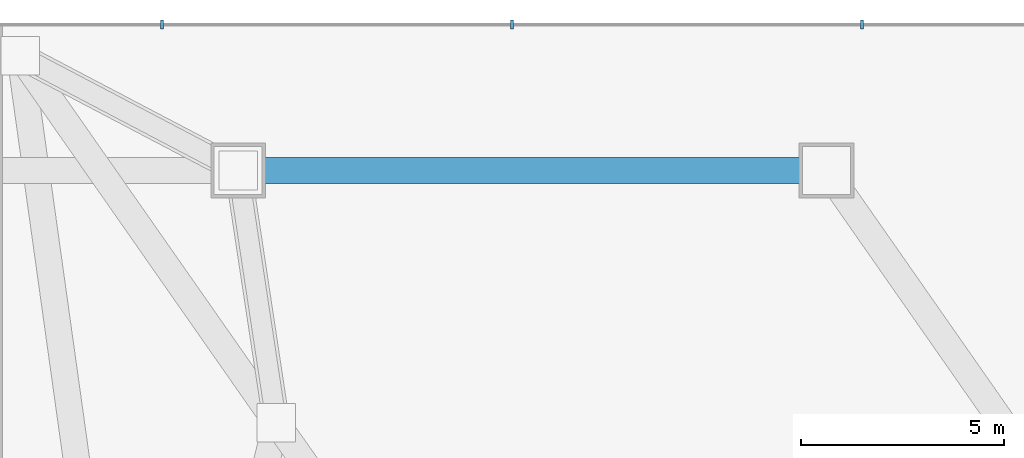
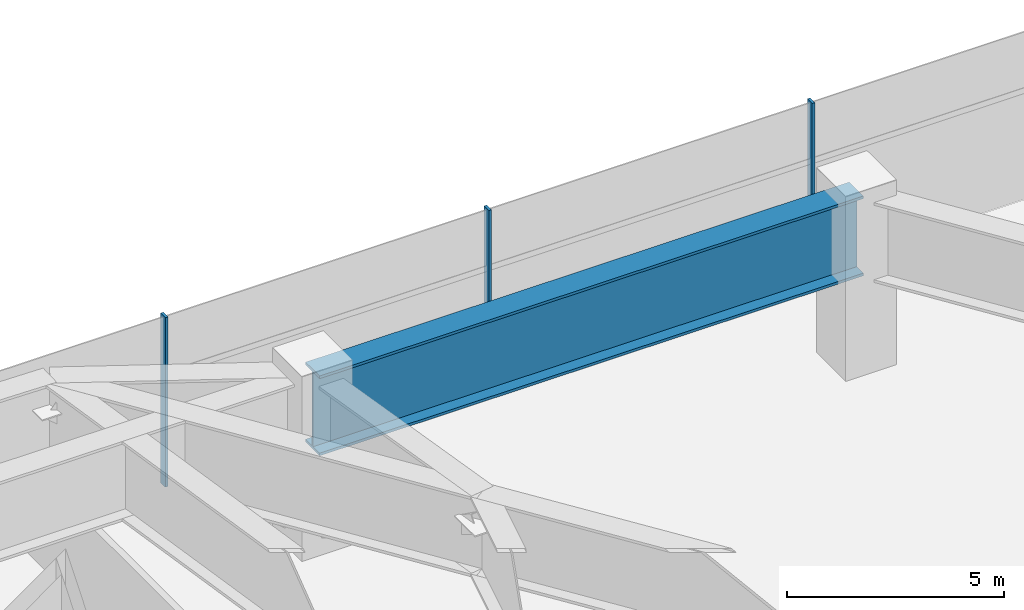
# One storey, part 16 of 29: 3 members, 1 beam, 1 element without a shape of its own.
"""IFC4 building model written with IfcOpenShell, lengths in metres."""

from ifc_helpers import new_model, si_unit, direction, frame, origin, origin_2d, place, context, subcontext, project, spatial, rectangle, i_section, extrude, source, transform, mapped, material, layer, layer_set, material_profile, profile_set, type_object, type_shapes, element, aggregate, save


model = new_model("IFC4")

# Units and contexts
model_context = context("Model", 3, precision=1e-05, world=origin(), true_north=direction((0.0, 1.0)))
body_context = subcontext(model_context, "Body", "Model", "MODEL_VIEW")
ifc_project = project(units=[si_unit("LENGTHUNIT", "METRE"), si_unit("AREAUNIT", "SQUARE_METRE"), si_unit("VOLUMEUNIT", "CUBIC_METRE"), si_unit("PLANEANGLEUNIT", "RADIAN"), si_unit("MASSUNIT", "GRAM", prefix="KILO")], contexts=[model_context])

# Site, building, storey
site_placement = place(None, origin())
site = spatial("IfcSite", under=ifc_project, at=site_placement, CompositionType="ELEMENT")
building_placement = place(site_placement, origin())
building = spatial("IfcBuilding", under=site, at=building_placement, Name="Varakhsha Concourse Tower", CompositionType="ELEMENT")
storey_placement = place(building_placement, frame((0.0, 0.0, 22.0)))
storey = spatial("IfcBuildingStorey", under=building, at=storey_placement, Name="L05", CompositionType="ELEMENT", Elevation=22.0)

# Beam
ifc_material_1 = material(Name="Structural Steel ASTM A992 Grade 50", Category="steel")
ifc_material_profile_1 = material_profile(ifc_material_1, i_section(OverallWidth=0.64990234375, OverallDepth=2.25, WebThickness=0.0400390625, FlangeThickness=0.074951171875, at=origin_2d()), Name="PG 2250x650x75x40")
ifc_profile_set_1 = profile_set([ifc_material_profile_1], Name="Structural Steel ASTM A992 Grade 50")
beam_type = type_object("IfcBeamType", Name="BM-XFER-PG1650", PredefinedType="USERDEFINED", material=ifc_profile_set_1)
beam_placement = place(storey_placement, frame((65.0, 50.39990234375, 3.655029296875), z_axis=(-1.0, 0.0, 0.0), x_axis=(0.0, -1.0, 0.0)))
element("IfcBeam", 1, at=beam_placement, inside=storey, type_object=beam_type, Name="L05 Stilt Perimeter Transfer Girder 07", ObjectType="GIRDER", PredefinedType="USERDEFINED", context=body_context, shape_type="SweptSolid", body=[
    extrude(i_section(OverallWidth=0.64990234375, OverallDepth=2.25, WebThickness=0.0400390625, FlangeThickness=0.074951171875, at=origin_2d()), origin(), (0.0, 0.0, 1.0), 14.5),
])

# Curtain wall, members
ifc_material_2 = material(Name="Anodised Bronze Architectural Aluminium AA 6063-T6", Category="aluminium")
ifc_layer = layer(ifc_material_2, 0.260009765625, Name="CW-SYS-06")
ifc_layer_set = layer_set([ifc_layer], Name="Anodised Bronze Architectural Aluminium AA 6063-T6")
curtain_wall_type = type_object("IfcCurtainWallType", Name="CW-SYS-06", PredefinedType="NOTDEFINED", material=ifc_layer_set)
curtain_wall_placement = place(storey_placement, origin())
curtain_wall = element("IfcCurtainWall", 2, at=curtain_wall_placement, inside=storey, type_object=curtain_wall_type, Name="L05 Podium Curtain Wall 05", PredefinedType="NOTDEFINED")
ifc_material_profile_2 = material_profile(ifc_material_2, rectangle(XDim=0.074951171875, YDim=0.219970703125, at=origin_2d()), Name="CWM-220X75")
ifc_profile_set_2 = profile_set([ifc_material_profile_2], Name="Anodised Bronze Architectural Aluminium AA 6063-T6")
member_type = type_object("IfcMemberType", Name="CWM-220X75", PredefinedType="MULLION", material=ifc_profile_set_2)
shared_shape = source(origin(), body_context, "Body", "SweptSolid", [
    extrude(rectangle(XDim=0.074951171875, YDim=0.219970703125, at=origin_2d()), origin(), (0.0, 0.0, 1.0), 4.780029296875),
])
type_shapes(member_type, [shared_shape])
member_1_placement = place(storey_placement, frame((65.875, 54.0, 0.0), z_axis=(0.0, 0.0, 1.0), x_axis=(-1.0, 0.0, 0.0)))
member_1 = element("IfcMember", 3, at=member_1_placement, type_object=member_type, Name="CW-POD-L05-05 Mullion 01", PredefinedType="MULLION", context=body_context, shape_type="MappedRepresentation", body=[
    mapped(shared_shape, transform((0.0, 0.0, 0.0), scale=1.0)),
])
member_2_placement = place(storey_placement, frame((57.25, 54.0, 0.0), z_axis=(0.0, 0.0, 1.0), x_axis=(-1.0, 0.0, 0.0)))
member_2 = element("IfcMember", 4, at=member_2_placement, type_object=member_type, Name="CW-POD-L05-05 Mullion 02", PredefinedType="MULLION", context=body_context, shape_type="MappedRepresentation", body=[
    mapped(shared_shape, transform((0.0, 0.0, 0.0), scale=1.0)),
])
member_3_placement = place(storey_placement, frame((48.625, 54.0, 0.0), z_axis=(0.0, 0.0, 1.0), x_axis=(-1.0, 0.0, 0.0)))
member_3 = element("IfcMember", 5, at=member_3_placement, type_object=member_type, Name="CW-POD-L05-05 Mullion 03", PredefinedType="MULLION", context=body_context, shape_type="MappedRepresentation", body=[
    mapped(shared_shape, transform((0.0, 0.0, 0.0), scale=1.0)),
])
aggregate(curtain_wall, [member_1, member_2, member_3])

save(model, "model.ifc")
